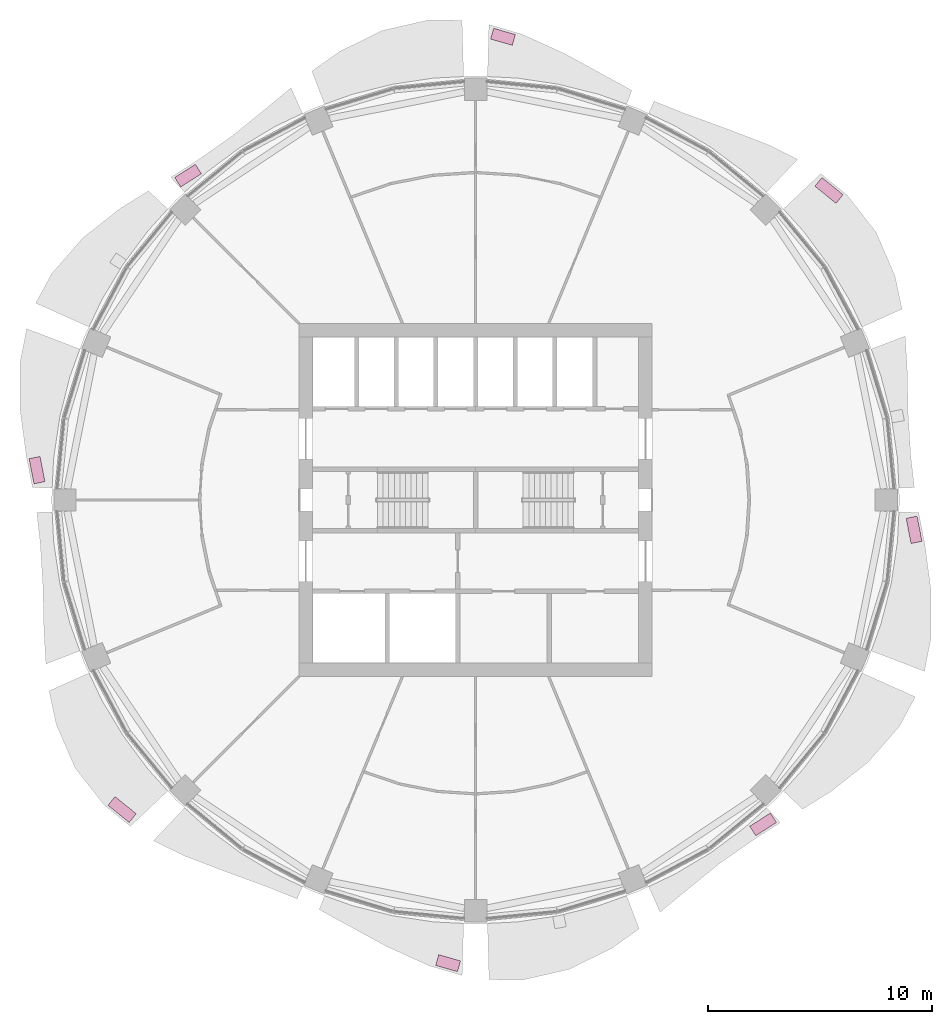
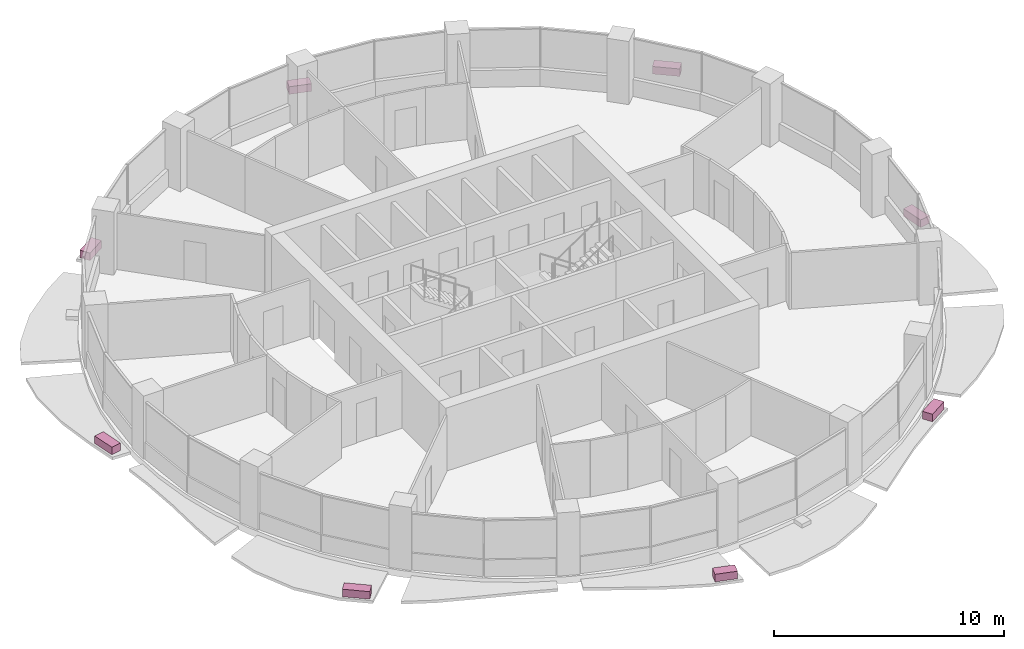
# One storey, part 14 of 14: 8 furniture elements.
"""IFC4 building model written with IfcOpenShell, lengths in metres."""

from ifc_helpers import new_model, si_unit, direction, frame, origin, origin_2d, place, context, subcontext, project, spatial, rectangle, extrude, material, type_object, element, save


model = new_model("IFC4")

# Units and contexts
model_context = context("Model", 3, precision=1e-05, world=origin(), true_north=direction((0.0, 1.0)))
body_context = subcontext(model_context, "Body", "Model", "MODEL_VIEW")
ifc_project = project(units=[si_unit("LENGTHUNIT", "METRE"), si_unit("AREAUNIT", "SQUARE_METRE"), si_unit("VOLUMEUNIT", "CUBIC_METRE"), si_unit("PLANEANGLEUNIT", "RADIAN"), si_unit("MASSUNIT", "GRAM", prefix="KILO")], contexts=[model_context])

# Site, building, storey
site_placement = place(None, origin())
site = spatial("IfcSite", under=ifc_project, at=site_placement, CompositionType="ELEMENT")
building_placement = place(site_placement, origin())
building = spatial("IfcBuilding", under=site, at=building_placement, Name="Polderwave Tower", CompositionType="ELEMENT")
storey_placement = place(building_placement, frame((0.0, 0.0, 141.050048828125)))
storey = spatial("IfcBuildingStorey", under=building, at=storey_placement, Name="L37", CompositionType="ELEMENT", Elevation=141.050048828125)

# Furniture
ifc_material = material(Name="Terracotta", Category="masonry")
furniture_type = type_object("IfcFurnitureType", Name="Terracotta planting trough", AssemblyPlace="NOTDEFINED", PredefinedType="USERDEFINED", material=ifc_material)
furniture_1_placement = place(storey_placement, frame((15.75537109375, 13.79833984375, -0.199951171875), z_axis=(0.0, 0.0, 1.0), x_axis=(-0.776710820845, 0.629857365427, 0.0)))
element("IfcFurniture", 1, at=furniture_1_placement, inside=storey, type_object=furniture_type, Name="Planting trough L37 2", ObjectType="PLANTER", PredefinedType="USERDEFINED", context=body_context, shape_type="SweptSolid", body=[
    extrude(rectangle(XDim=1.2138671875, YDim=0.5, at=origin_2d()), origin(), (0.0, 0.0, 1.0), 0.39990234375),
])
furniture_2_placement = place(storey_placement, frame((1.223388671875, 20.64697265625, -0.199951171875), z_axis=(0.0, 0.0, 1.0), x_axis=(-0.960614423176, 0.27788474227, 0.0)))
element("IfcFurniture", 2, at=furniture_2_placement, inside=storey, type_object=furniture_type, Name="Planting trough L37 4", ObjectType="PLANTER", PredefinedType="USERDEFINED", context=body_context, shape_type="SweptSolid", body=[
    extrude(rectangle(XDim=1.01025390625, YDim=0.5, at=origin_2d()), origin(), (0.0, 0.0, 1.0), 0.39990234375),
])
furniture_3_placement = place(storey_placement, frame((-12.81689453125, 14.459228515625, -0.199951171875), z_axis=(0.0, 0.0, 1.0), x_axis=(-0.843068702758, -0.537805878018, 0.0)))
element("IfcFurniture", 3, at=furniture_3_placement, inside=storey, type_object=furniture_type, Name="Planting trough L37 6", ObjectType="PLANTER", PredefinedType="USERDEFINED", context=body_context, shape_type="SweptSolid", body=[
    extrude(rectangle(XDim=1.095703125, YDim=0.5, at=origin_2d()), origin(), (0.0, 0.0, 1.0), 0.39990234375),
])
furniture_4_placement = place(storey_placement, frame((-19.5478515625, 1.33056640625, -0.199951171875), z_axis=(0.0, 0.0, 1.0), x_axis=(0.190795289257, -0.981629847548, 0.0)))
element("IfcFurniture", 4, at=furniture_4_placement, inside=storey, type_object=furniture_type, Name="Planting trough L37 8", ObjectType="PLANTER", PredefinedType="USERDEFINED", context=body_context, shape_type="SweptSolid", body=[
    extrude(rectangle(XDim=1.144287109375, YDim=0.5, at=origin_2d()), origin(), (0.0, 0.0, 1.0), 0.39990234375),
])
furniture_5_placement = place(storey_placement, frame((-15.75537109375, -13.79833984375, -0.199951171875), z_axis=(0.0, 0.0, 1.0), x_axis=(0.776710820845, -0.629857365427, 0.0)))
element("IfcFurniture", 5, at=furniture_5_placement, inside=storey, type_object=furniture_type, Name="Planting trough L37 10", ObjectType="PLANTER", PredefinedType="USERDEFINED", context=body_context, shape_type="SweptSolid", body=[
    extrude(rectangle(XDim=1.2138671875, YDim=0.5, at=origin_2d()), origin(), (0.0, 0.0, 1.0), 0.39990234375),
])
furniture_6_placement = place(storey_placement, frame((-1.223388671875, -20.64697265625, -0.199951171875), z_axis=(0.0, 0.0, 1.0), x_axis=(0.960614423176, -0.27788474227, 0.0)))
element("IfcFurniture", 6, at=furniture_6_placement, inside=storey, type_object=furniture_type, Name="Planting trough L37 12", ObjectType="PLANTER", PredefinedType="USERDEFINED", context=body_context, shape_type="SweptSolid", body=[
    extrude(rectangle(XDim=1.01025390625, YDim=0.5, at=origin_2d()), origin(), (0.0, 0.0, 1.0), 0.39990234375),
])
furniture_7_placement = place(storey_placement, frame((12.81689453125, -14.459228515625, -0.199951171875), z_axis=(0.0, 0.0, 1.0), x_axis=(0.843068702758, 0.537805878018, 0.0)))
element("IfcFurniture", 7, at=furniture_7_placement, inside=storey, type_object=furniture_type, Name="Planting trough L37 14", ObjectType="PLANTER", PredefinedType="USERDEFINED", context=body_context, shape_type="SweptSolid", body=[
    extrude(rectangle(XDim=1.095703125, YDim=0.5, at=origin_2d()), origin(), (0.0, 0.0, 1.0), 0.39990234375),
])
furniture_8_placement = place(storey_placement, frame((19.5478515625, -1.33056640625, -0.199951171875), z_axis=(0.0, 0.0, 1.0), x_axis=(-0.190795289257, 0.981629847548, 0.0)))
element("IfcFurniture", 8, at=furniture_8_placement, inside=storey, type_object=furniture_type, Name="Planting trough L37 16", ObjectType="PLANTER", PredefinedType="USERDEFINED", context=body_context, shape_type="SweptSolid", body=[
    extrude(rectangle(XDim=1.144287109375, YDim=0.5, at=origin_2d()), origin(), (0.0, 0.0, 1.0), 0.39990234375),
])

save(model, "model.ifc")
